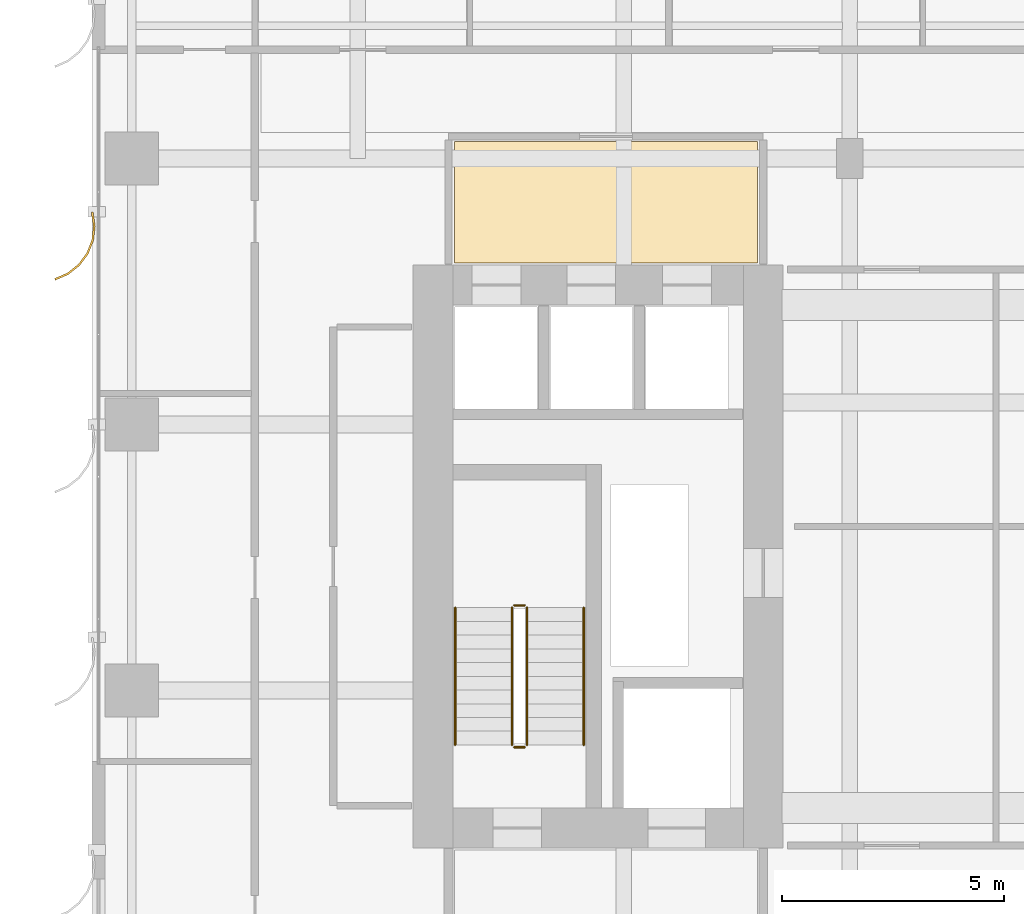
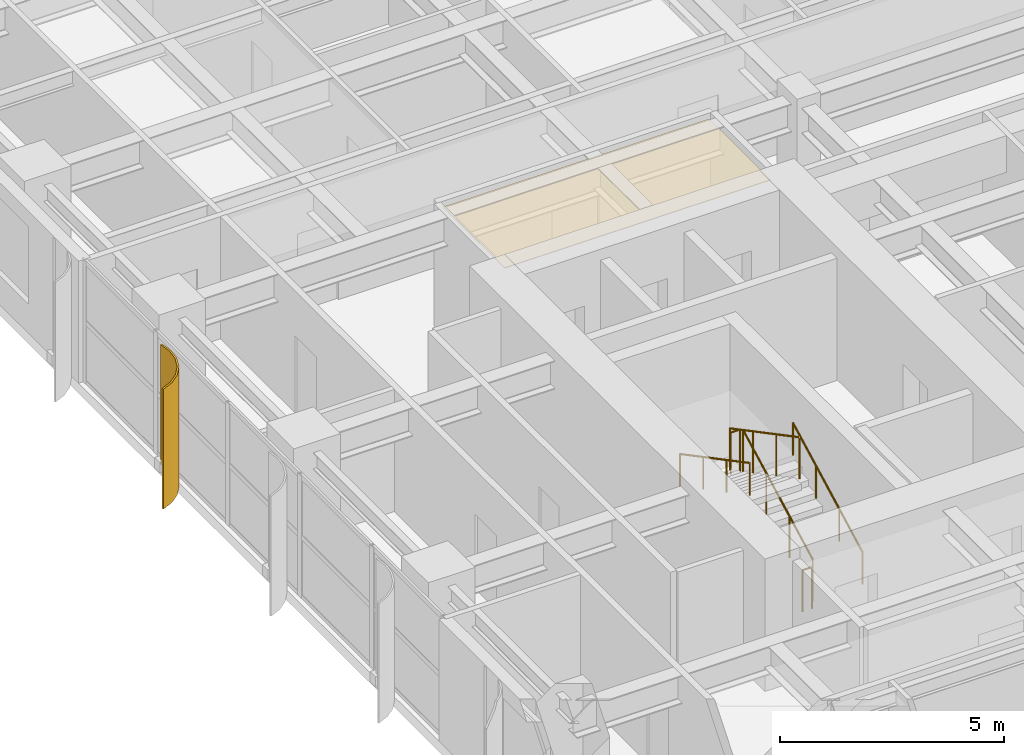
# One storey, part 22 of 24: 6 railings, 1 covering, 1 shading device.
"""IFC4 building model written with IfcOpenShell, lengths in metres."""

from ifc_helpers import new_model, si_unit, direction, frame, origin, origin_2d, place, context, subcontext, project, spatial, polyline, circle, outline, extrude, source, transform, mapped, material, layer, layer_set, type_object, element, save


model = new_model("IFC4")

# Units and contexts
model_context = context("Model", 3, precision=1e-05, world=origin(), true_north=direction((0.0, 1.0)))
body_context = subcontext(model_context, "Body", "Model", "MODEL_VIEW")
ifc_project = project(units=[si_unit("LENGTHUNIT", "METRE"), si_unit("AREAUNIT", "SQUARE_METRE"), si_unit("VOLUMEUNIT", "CUBIC_METRE"), si_unit("PLANEANGLEUNIT", "RADIAN"), si_unit("MASSUNIT", "GRAM", prefix="KILO")], contexts=[model_context])

# Site, building, storey
site_placement = place(None, origin())
site = spatial("IfcSite", under=ifc_project, at=site_placement, CompositionType="ELEMENT")
building_placement = place(site_placement, origin())
building = spatial("IfcBuilding", under=site, at=building_placement, Name="Khoralis Quay Care Tower", CompositionType="ELEMENT")
storey_placement = place(building_placement, frame((0.0, 0.0, 40.5)))
storey = spatial("IfcBuildingStorey", under=building, at=storey_placement, Name="L10", CompositionType="ELEMENT", Elevation=40.5)

# Covering
ifc_material_1 = material(Name="Mineral-fibre acoustic ceiling tile")
ifc_layer_1 = layer(ifc_material_1, 0.01806640625)
ifc_layer_set_1 = layer_set([ifc_layer_1], Name="Mineral-fibre acoustic ceiling tile")
covering_type = type_object("IfcCoveringType", Name="COV-CEIL-AC18", PredefinedType="CEILING", material=ifc_layer_set_1)
covering_placement = place(storey_placement, frame((0.0, 0.0, 3.172119140625)))
element("IfcCovering", 1, at=covering_placement, inside=storey, type_object=covering_type, Name="Suspended Acoustic Ceiling SP-L10-LLOB-W", PredefinedType="CEILING", context=body_context, shape_type="SweptSolid", body=[
    extrude(outline(polyline([(8.179931640625, 27.64990234375), (15.02001953125, 27.64990234375), (15.02001953125, 30.389892578125), (8.179931640625, 30.389892578125), (8.179931640625, 27.64990234375)])), origin(), (0.0, 0.0, 1.0), 0.017822265625),
])

# Railings
ifc_material_2 = material(Name="Brushed stainless steel", Category="steel")
railing_type_1 = type_object("IfcRailingType", Name="RL-GUARD-1150", PredefinedType="GUARDRAIL", material=ifc_material_2)
railing_1_placement = place(storey_placement, frame((9.820068359375, 16.77001953125, 0.16357421875)))
element("IfcRailing", 2, at=railing_1_placement, inside=storey, type_object=railing_type_1, Name="L10 ST-T1 stair guard 1", PredefinedType="GUARDRAIL", context=body_context, shape_type="SweptSolid", body=[
    extrude(circle(Radius=0.02392578125, at=origin_2d()), frame((0.0, 0.0, 1.1259765625), z_axis=(0.0, 0.884348015382, 0.466828220752), x_axis=(-1.0, 0.0, 0.0)), (0.0, 0.0, 1.0), 3.505615234375),
    extrude(circle(Radius=0.02099609375, at=origin_2d()), origin(), (0.0, 0.0, 1.0), 1.101806640625),
    extrude(circle(Radius=0.02099609375, at=origin_2d()), frame((0.0, 1.033447265625, 0.54541015625)), (0.0, 0.0, 1.0), 1.101806640625),
    extrude(circle(Radius=0.02099609375, at=origin_2d()), frame((0.0, 2.066650390625, 1.091064453125)), (0.0, 0.0, 1.0), 1.101806640625),
    extrude(circle(Radius=0.02099609375, at=origin_2d()), frame((0.0, 3.10009765625, 1.636474609375)), (0.0, 0.0, 1.0), 1.101806640625),
])
railing_2_placement = place(storey_placement, frame((9.77001953125, 19.919921875, 1.800048828125)))
element("IfcRailing", 3, at=railing_2_placement, inside=storey, type_object=railing_type_1, Name="L10 ST-T1 stair guard 2", PredefinedType="GUARDRAIL", context=body_context, shape_type="SweptSolid", body=[
    extrude(circle(Radius=0.02392578125, at=origin_2d()), frame((0.0, 0.0, 1.1259765625), z_axis=(-1.0, 0.0, 0.0), x_axis=(0.0, -1.0, 0.0)), (0.0, 0.0, 1.0), 0.239990234375),
    extrude(circle(Radius=0.02099609375, at=origin_2d()), origin(), (0.0, 0.0, 1.0), 1.101806640625),
    extrude(circle(Radius=0.02099609375, at=origin_2d()), frame((-0.239990234375, 0.0, 0.0)), (0.0, 0.0, 1.0), 1.101806640625),
])
railing_3_placement = place(storey_placement, frame((9.47998046875, 19.8701171875, 1.963623046875)))
element("IfcRailing", 4, at=railing_3_placement, inside=storey, type_object=railing_type_1, Name="L10 ST-T1 stair guard 3", PredefinedType="GUARDRAIL", context=body_context, shape_type="SweptSolid", body=[
    extrude(circle(Radius=0.02392578125, at=origin_2d()), frame((0.0, 0.0, 1.1259765625), z_axis=(0.0, -0.884348015382, 0.466828220752), x_axis=(1.0, 0.0, 0.0)), (0.0, 0.0, 1.0), 3.505615234375),
    extrude(circle(Radius=0.02099609375, at=origin_2d()), origin(), (0.0, 0.0, 1.0), 1.101806640625),
    extrude(circle(Radius=0.02099609375, at=origin_2d()), frame((0.0, -1.033447265625, 0.54541015625)), (0.0, 0.0, 1.0), 1.101806640625),
    extrude(circle(Radius=0.02099609375, at=origin_2d()), frame((0.0, -2.066650390625, 1.091064453125)), (0.0, 0.0, 1.0), 1.101806640625),
    extrude(circle(Radius=0.02099609375, at=origin_2d()), frame((0.0, -3.10009765625, 1.636474609375)), (0.0, 0.0, 1.0), 1.101806640625),
])
railing_4_placement = place(storey_placement, frame((9.77001953125, 16.719970703125, 0.0)))
element("IfcRailing", 5, at=railing_4_placement, inside=storey, type_object=railing_type_1, Name="L10 ST-T1 stair guard 4", PredefinedType="GUARDRAIL", context=body_context, shape_type="SweptSolid", body=[
    extrude(circle(Radius=0.02392578125, at=origin_2d()), frame((0.0, 0.0, 1.1259765625), z_axis=(-1.0, 0.0, 0.0), x_axis=(0.0, -1.0, 0.0)), (0.0, 0.0, 1.0), 0.239990234375),
    extrude(circle(Radius=0.02099609375, at=origin_2d()), origin(), (0.0, 0.0, 1.0), 1.101806640625),
    extrude(circle(Radius=0.02099609375, at=origin_2d()), frame((-0.239990234375, 0.0, 0.0)), (0.0, 0.0, 1.0), 1.101806640625),
])
railing_type_2 = type_object("IfcRailingType", Name="RL-HAND-900", PredefinedType="HANDRAIL", material=ifc_material_2)
railing_5_placement = place(storey_placement, frame((11.10009765625, 16.77001953125, 0.16357421875)))
element("IfcRailing", 6, at=railing_5_placement, inside=storey, type_object=railing_type_2, Name="L10 ST-T1 stair handrail 1", PredefinedType="HANDRAIL", context=body_context, shape_type="SweptSolid", body=[
    extrude(circle(Radius=0.02392578125, at=origin_2d()), frame((0.0, 0.0, 0.8759765625), z_axis=(0.0, 0.884348015382, 0.466828220752), x_axis=(-1.0, 0.0, 0.0)), (0.0, 0.0, 1.0), 3.505615234375),
    extrude(circle(Radius=0.02099609375, at=origin_2d()), origin(), (0.0, 0.0, 1.0), 0.851806640625),
    extrude(circle(Radius=0.02099609375, at=origin_2d()), frame((0.0, 1.033447265625, 0.54541015625)), (0.0, 0.0, 1.0), 0.851806640625),
    extrude(circle(Radius=0.02099609375, at=origin_2d()), frame((0.0, 2.066650390625, 1.091064453125)), (0.0, 0.0, 1.0), 0.851806640625),
    extrude(circle(Radius=0.02099609375, at=origin_2d()), frame((0.0, 3.10009765625, 1.636474609375)), (0.0, 0.0, 1.0), 0.851806640625),
])
railing_6_placement = place(storey_placement, frame((8.199951171875, 19.8701171875, 1.963623046875)))
element("IfcRailing", 7, at=railing_6_placement, inside=storey, type_object=railing_type_2, Name="L10 ST-T1 stair handrail 2", PredefinedType="HANDRAIL", context=body_context, shape_type="SweptSolid", body=[
    extrude(circle(Radius=0.02392578125, at=origin_2d()), frame((0.0, 0.0, 0.8759765625), z_axis=(0.0, -0.884348015382, 0.466828220752), x_axis=(1.0, 0.0, 0.0)), (0.0, 0.0, 1.0), 3.505615234375),
    extrude(circle(Radius=0.02099609375, at=origin_2d()), origin(), (0.0, 0.0, 1.0), 0.851806640625),
    extrude(circle(Radius=0.02099609375, at=origin_2d()), frame((0.0, -1.033447265625, 0.54541015625)), (0.0, 0.0, 1.0), 0.851806640625),
    extrude(circle(Radius=0.02099609375, at=origin_2d()), frame((0.0, -2.066650390625, 1.091064453125)), (0.0, 0.0, 1.0), 0.851806640625),
    extrude(circle(Radius=0.02099609375, at=origin_2d()), frame((0.0, -3.10009765625, 1.636474609375)), (0.0, 0.0, 1.0), 0.851806640625),
])

# Shading device
ifc_material_3 = material(Name="Brushed pale anodised aluminium", Category="aluminium")
ifc_layer_2 = layer(ifc_material_3, 0.044921875)
ifc_layer_set_2 = layer_set([ifc_layer_2], Name="Brushed pale anodised aluminium")
shading_device_type = type_object("IfcShadingDeviceType", Name="SHD-FIN-1250", PredefinedType="USERDEFINED", material=ifc_layer_set_2)
shared_shape = source(origin(), body_context, "Body", "SweptSolid", [
    extrude(outline(polyline([(0.0, 0.0), (-0.04833984375, 0.32275390625), (-0.01123046875, 0.64697265625), (0.1083984375, 0.950439453125), (0.302490234375, 1.212890625), (0.557861328125, 1.416015625), (0.85693359375, 1.546142578125), (0.869384765625, 1.5029296875), (0.5810546875, 1.37744140625), (0.334716796875, 1.181640625), (0.147705078125, 0.9287109375), (0.032470703125, 0.635986328125), (-0.003173828125, 0.323486328125), (0.043212890625, 0.012451171875), (0.0, 0.0)])), origin(), (0.0, 0.0, 1.0), 3.260009765625),
])
shading_device_placement = place(storey_placement, frame((0.030029296875, 28.800048828125, 0.02001953125), z_axis=(0.0, 0.0, 1.0), x_axis=(-1.0, 0.0, 0.0)))
element("IfcShadingDevice", 8, at=shading_device_placement, inside=storey, type_object=shading_device_type, Name="L10 Curved Solar Fin P1E15-03", ObjectType="FIN", PredefinedType="USERDEFINED", context=body_context, shape_type="MappedRepresentation", body=[
    mapped(shared_shape, transform((0.0, 0.0, 0.0), scale=1.0)),
])

save(model, "model.ifc")
